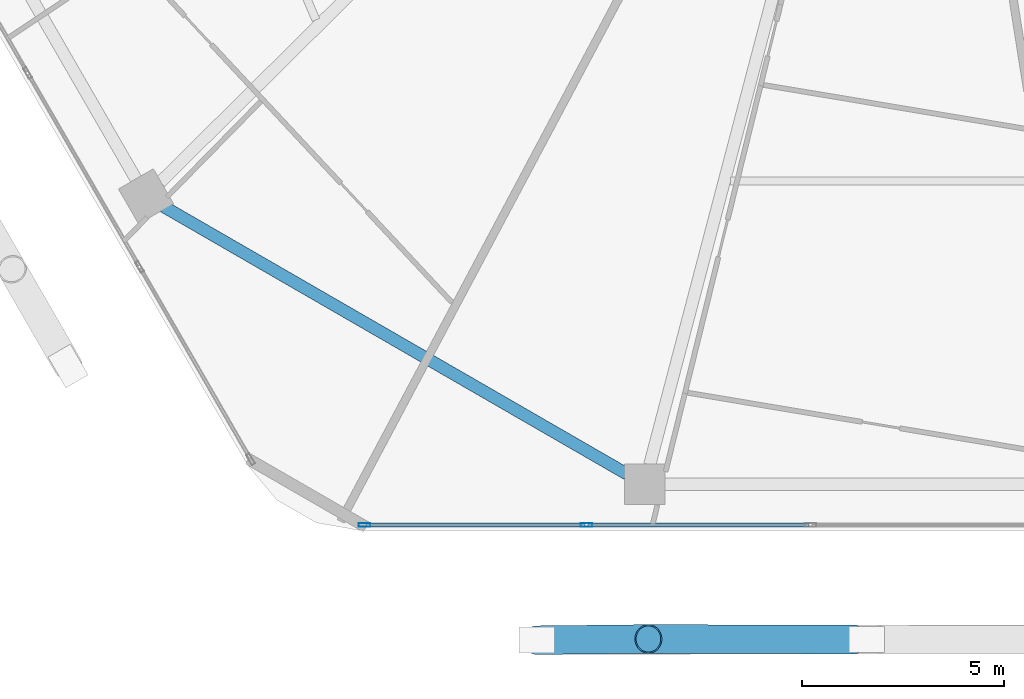
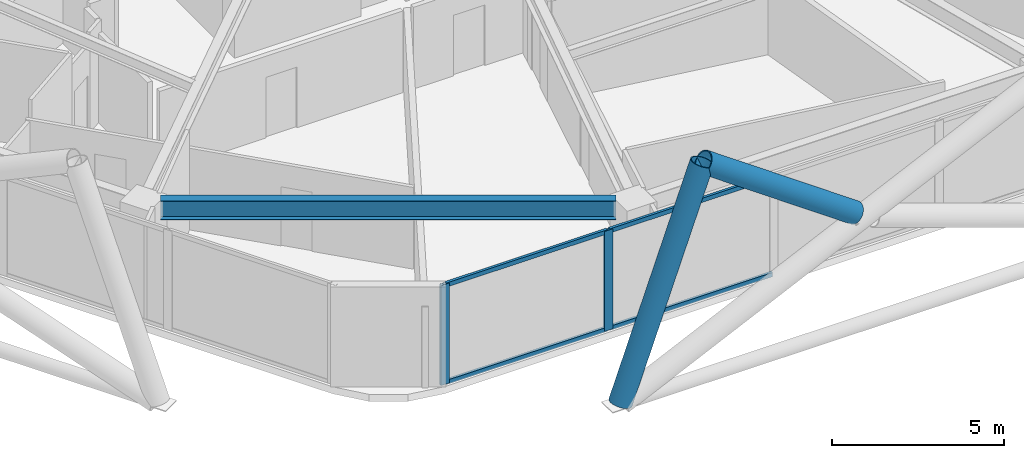
# One storey, part 3 of 30: 8 members, 1 beam, 1 element without a shape of its own.
"""IFC4 building model written with IfcOpenShell, lengths in metres."""

from ifc_helpers import new_model, si_unit, direction, frame, origin, origin_2d, place, context, subcontext, project, spatial, hollow_rectangle, hollow_circle, i_section, extrude, material, material_profile, profile_set, type_object, element, aggregate, save


model = new_model("IFC4")

# Units and contexts
model_context = context("Model", 3, precision=1e-05, world=origin(), true_north=direction((0.0, 1.0)))
body_context = subcontext(model_context, "Body", "Model", "MODEL_VIEW")
ifc_project = project(units=[si_unit("LENGTHUNIT", "METRE"), si_unit("AREAUNIT", "SQUARE_METRE"), si_unit("VOLUMEUNIT", "CUBIC_METRE"), si_unit("PLANEANGLEUNIT", "RADIAN"), si_unit("MASSUNIT", "GRAM", prefix="KILO")], contexts=[model_context])

# Site, building, storey
site_placement = place(None, origin())
site = spatial("IfcSite", under=ifc_project, at=site_placement, CompositionType="ELEMENT")
building_placement = place(site_placement, origin())
building = spatial("IfcBuilding", under=site, at=building_placement, Name="Zuhravey Tower", CompositionType="ELEMENT")
storey_placement = place(building_placement, frame((0.0, 0.0, 177.0)))
storey = spatial("IfcBuildingStorey", under=building, at=storey_placement, Name="L44", CompositionType="ELEMENT", Elevation=177.0)

# Curtain wall, members
ifc_material_1 = material(Name="Thermally broken anodised aluminium", Category="aluminium")
curtain_wall_type = type_object("IfcCurtainWallType", Name="Zone 1-2 Residential Curtain Wall CW3", PredefinedType="NOTDEFINED", material=ifc_material_1)
curtain_wall_placement = place(storey_placement, origin())
curtain_wall = element("IfcCurtainWall", 1, at=curtain_wall_placement, inside=storey, type_object=curtain_wall_type, Name="L44 CW3 CW-L44-F5-1", PredefinedType="NOTDEFINED")
ifc_material_2 = material(Name="Anodised aluminium", Category="aluminium")
ifc_material_profile_1 = material_profile(ifc_material_2, hollow_rectangle(XDim=0.090087890625, YDim=0.284912109375, WallThickness=0.0048828125, at=origin_2d()), Name="ALU-RHS-90x285x5")
ifc_profile_set_1 = profile_set([ifc_material_profile_1], Name="Anodised aluminium")
member_type_1 = type_object("IfcMemberType", Name="Curtain-Wall Mullion 90x180", PredefinedType="MULLION", material=ifc_profile_set_1)
member_1_placement = place(storey_placement, frame((27.683349609375, 4.81689453125, 0.0), z_axis=(0.0, 0.0, 1.0), x_axis=(0.0, -1.0, 0.0)))
member_1 = element("IfcMember", 2, at=member_1_placement, type_object=member_type_1, Name="CW3 mullion 5", PredefinedType="MULLION", context=body_context, shape_type="SweptSolid", body=[
    extrude(hollow_rectangle(XDim=0.090087890625, YDim=0.284912109375, WallThickness=0.0048828125, at=origin_2d()), origin(), (0.0, 0.0, 1.0), 3.550048828125),
])
member_2_placement = place(storey_placement, frame((22.183837890625, 4.81689453125, 0.0), z_axis=(0.0, 0.0, 1.0), x_axis=(0.0, -1.0, 0.0)))
member_2 = element("IfcMember", 3, at=member_2_placement, type_object=member_type_1, Name="CW3 mullion 6", PredefinedType="MULLION", context=body_context, shape_type="SweptSolid", body=[
    extrude(hollow_rectangle(XDim=0.090087890625, YDim=0.284912109375, WallThickness=0.0048828125, at=origin_2d()), origin(), (0.0, 0.0, 1.0), 3.550048828125),
])
ifc_material_profile_2 = material_profile(ifc_material_2, hollow_rectangle(XDim=0.090087890625, YDim=0.14990234375, WallThickness=0.0048828125, at=origin_2d()), Name="ALU-RHS-90x150x5")
ifc_profile_set_2 = profile_set([ifc_material_profile_2], Name="Anodised aluminium")
member_type_2 = type_object("IfcMemberType", Name="Curtain-Wall Transom 90x150", PredefinedType="USERDEFINED", material=ifc_profile_set_2)
member_3_placement = place(storey_placement, frame((33.182861328125, 4.81689453125, 0.044921875), z_axis=(-1.0, 0.0, 0.0), x_axis=(0.0, -1.0, 0.0)))
member_3 = element("IfcMember", 4, at=member_3_placement, type_object=member_type_2, Name="CW3 transom 4.1", ObjectType="TRANSOM", PredefinedType="USERDEFINED", context=body_context, shape_type="SweptSolid", body=[
    extrude(hollow_rectangle(XDim=0.090087890625, YDim=0.14990234375, WallThickness=0.0048828125, at=origin_2d()), origin(), (0.0, 0.0, 1.0), 5.45458984375),
])
member_4_placement = place(storey_placement, frame((33.182861328125, 4.81689453125, 3.5048828125), z_axis=(-1.0, 0.0, 0.0), x_axis=(0.0, -1.0, 0.0)))
member_4 = element("IfcMember", 5, at=member_4_placement, type_object=member_type_2, Name="CW3 transom 4.2", ObjectType="TRANSOM", PredefinedType="USERDEFINED", context=body_context, shape_type="SweptSolid", body=[
    extrude(hollow_rectangle(XDim=0.090087890625, YDim=0.14990234375, WallThickness=0.0048828125, at=origin_2d()), origin(), (0.0, 0.0, 1.0), 5.45458984375),
])
member_5_placement = place(storey_placement, frame((27.638427734375, 4.81689453125, 0.044921875), z_axis=(-1.0, 0.0, 0.0), x_axis=(0.0, -1.0, 0.0)))
member_5 = element("IfcMember", 6, at=member_5_placement, type_object=member_type_2, Name="CW3 transom 5.1", ObjectType="TRANSOM", PredefinedType="USERDEFINED", context=body_context, shape_type="SweptSolid", body=[
    extrude(hollow_rectangle(XDim=0.090087890625, YDim=0.14990234375, WallThickness=0.0048828125, at=origin_2d()), origin(), (0.0, 0.0, 1.0), 5.409423828125),
])
member_6_placement = place(storey_placement, frame((27.638427734375, 4.81689453125, 3.5048828125), z_axis=(-1.0, 0.0, 0.0), x_axis=(0.0, -1.0, 0.0)))
member_6 = element("IfcMember", 7, at=member_6_placement, type_object=member_type_2, Name="CW3 transom 5.2", ObjectType="TRANSOM", PredefinedType="USERDEFINED", context=body_context, shape_type="SweptSolid", body=[
    extrude(hollow_rectangle(XDim=0.090087890625, YDim=0.14990234375, WallThickness=0.0048828125, at=origin_2d()), origin(), (0.0, 0.0, 1.0), 5.409423828125),
])
aggregate(curtain_wall, [member_1, member_2, member_3, member_4, member_5, member_6])

# Members
ifc_material_3 = material(Name="Steel SM460", Category="steel")
ifc_material_profile_3 = material_profile(ifc_material_3, hollow_circle(Radius=0.355712890625, WallThickness=0.031982421875, at=origin_2d()), Name="CHS-711.2x32")
ifc_profile_set_3 = profile_set([ifc_material_profile_3], Name="Steel SM460")
member_type_3 = type_object("IfcMemberType", Name="Exoskeleton Zone 2 Diagrid CHS711x32", PredefinedType="BRACE", material=ifc_profile_set_3)
member_7_placement = place(storey_placement, frame((26.452392578125, 1.967041015625, -0.444091796875), z_axis=(0.342856044852, 0.003700976595, 0.939380665801), x_axis=(-0.010793920789, 0.99994174394, 0.0)))
element("IfcMember", 8, at=member_7_placement, inside=storey, type_object=member_type_3, Name="L44 Face 5 Diagrid Brace 1", PredefinedType="BRACE", context=body_context, shape_type="SweptSolid", body=[
    extrude(hollow_circle(Radius=0.355712890625, WallThickness=0.031982421875, at=origin_2d()), origin(), (0.0, 0.0, 1.0), 8.0478515625),
])
member_8_placement = place(storey_placement, frame((34.33056640625, 1.982666015625, 3.534912109375), z_axis=(-0.81749967084, 0.002281980023, 0.575924544314), x_axis=(-0.00279140312, -0.999996104027, 0.0)))
element("IfcMember", 9, at=member_8_placement, inside=storey, type_object=member_type_3, Name="L44 Face 5 Split Diagrid Brace 3B", PredefinedType="BRACE", context=body_context, shape_type="SweptSolid", body=[
    extrude(hollow_circle(Radius=0.355712890625, WallThickness=0.031982421875, at=origin_2d()), origin(), (0.0, 0.0, 1.0), 6.205322265625),
])

# Beam
ifc_material_4 = material(Name="Steel SM355", Category="steel")
ifc_material_profile_4 = material_profile(ifc_material_4, i_section(OverallWidth=0.300048828125, OverallDepth=0.679931640625, WebThickness=0.012939453125, FlangeThickness=0.02197265625, at=origin_2d()), Name="H-680x300x13x22")
ifc_profile_set_4 = profile_set([ifc_material_profile_4], Name="Steel SM355")
beam_type = type_object("IfcBeamType", Name="Perimeter Ring Beam H680x300", PredefinedType="BEAM", material=ifc_profile_set_4)
beam_placement = place(storey_placement, frame((17.210205078125, 12.701904296875, 3.2099609375), z_axis=(0.866022923061, -0.500004296715, 0.0), x_axis=(0.500004296715, 0.866022923061, 0.0)))
element("IfcBeam", 10, at=beam_placement, inside=storey, type_object=beam_type, Name="L44 PB2 BM-L44-PB-08", PredefinedType="BEAM", context=body_context, shape_type="SweptSolid", body=[
    extrude(i_section(OverallWidth=0.300048828125, OverallDepth=0.679931640625, WebThickness=0.012939453125, FlangeThickness=0.02197265625, at=origin_2d()), origin(), (0.0, 0.0, 1.0), 13.2470703125),
])

save(model, "model.ifc")
